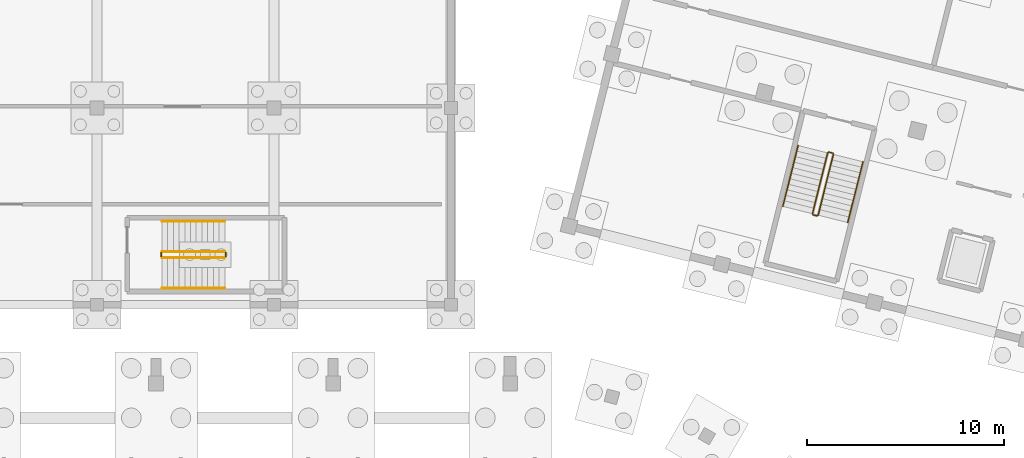
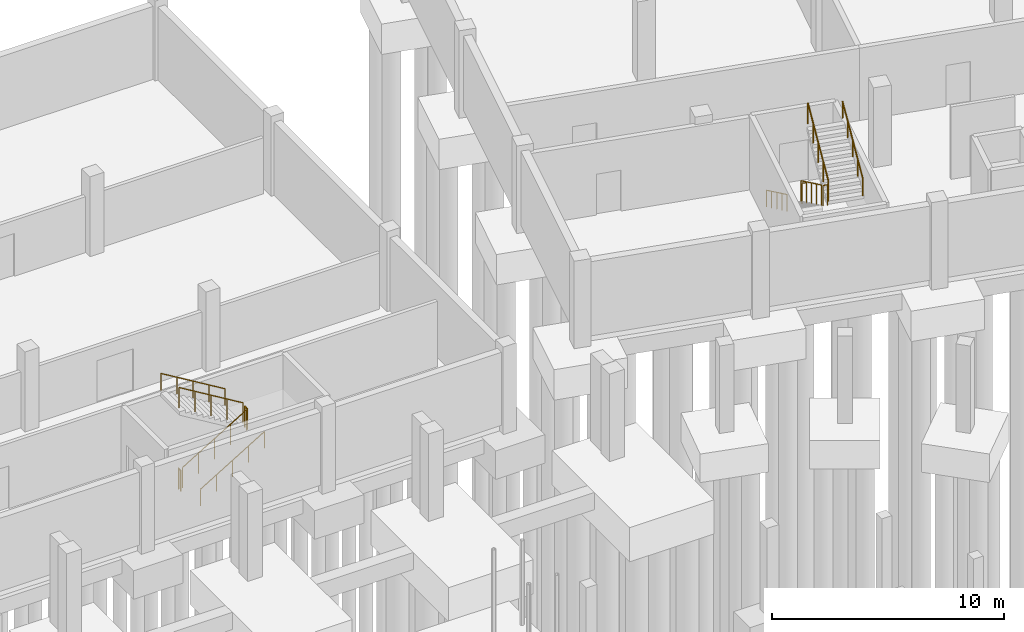
# One storey, part 31 of 36: 12 railings.
"""IFC4 building model written with IfcOpenShell, lengths in metres."""

from ifc_helpers import new_model, si_unit, derived_unit, direction, frame, origin, origin_2d, place, context, subcontext, project, spatial, circle, extrude, material, type_object, element, save


model = new_model("IFC4")

# Units and contexts
model_context = context("Model", 3, precision=1e-05, world=origin(), true_north=direction((0.0, 1.0)))
body_context = subcontext(model_context, "Body", "Model", "MODEL_VIEW")
ifc_project = project(units=[si_unit("LENGTHUNIT", "METRE"), si_unit("AREAUNIT", "SQUARE_METRE"), si_unit("VOLUMEUNIT", "CUBIC_METRE"), si_unit("PLANEANGLEUNIT", "RADIAN"), si_unit("MASSUNIT", "GRAM", prefix="KILO"), si_unit("THERMODYNAMICTEMPERATUREUNIT", "KELVIN"), si_unit("TIMEUNIT", "SECOND"), derived_unit("THERMALTRANSMITTANCEUNIT", [(si_unit("MASSUNIT", "GRAM", prefix="KILO"), 1), (si_unit("THERMODYNAMICTEMPERATUREUNIT", "KELVIN"), -1), (si_unit("TIMEUNIT", "SECOND"), -3)])], contexts=[model_context])

# Site, building, storey
site_placement = place(None, origin())
site = spatial("IfcSite", under=ifc_project, at=site_placement, CompositionType="ELEMENT")
building_placement = place(site_placement, origin())
building = spatial("IfcBuilding", under=site, at=building_placement, Name="Cambertide Market Hall", CompositionType="ELEMENT")
storey_placement = place(building_placement, frame((0.0, 0.0, -4.199951171875)))
storey = spatial("IfcBuildingStorey", under=building, at=storey_placement, Name="B1", CompositionType="ELEMENT", Elevation=-4.199951171875)

# Railings
ifc_material_1 = material(Name="Stainless Steel Grade 316", Category="metal")
railing_type_1 = type_object("IfcRailingType", Name="Stair Wall Handrail 900", PredefinedType="HANDRAIL", material=ifc_material_1)
railing_1_placement = place(storey_placement, frame((87.300048828125, 96.85009765625, 0.175048828125)))
element("IfcRailing", 1, at=railing_1_placement, inside=storey, type_object=railing_type_1, Name="Basement 1 ST-04 stair handrail 1", PredefinedType="HANDRAIL", context=body_context, shape_type="SweptSolid", body=[
    extrude(circle(Radius=0.02392578125, at=origin_2d()), frame((0.0, 0.0, 0.8759765625), z_axis=(0.856206652436, 0.0, 0.516633495163), x_axis=(0.0, 1.0, 0.0)), (0.0, 0.0, 1.0), 3.7255859375),
    extrude(circle(Radius=0.02099609375, at=origin_2d()), origin(), (0.0, 0.0, 1.0), 0.851806640625),
    extrude(circle(Radius=0.02099609375, at=origin_2d()), frame((0.79736328125, 0.0, 0.481201171875)), (0.0, 0.0, 1.0), 0.851806640625),
    extrude(circle(Radius=0.02099609375, at=origin_2d()), frame((1.594970703125, 0.0, 0.96240234375)), (0.0, 0.0, 1.0), 0.851806640625),
    extrude(circle(Radius=0.02099609375, at=origin_2d()), frame((2.392578125, 0.0, 1.443603515625)), (0.0, 0.0, 1.0), 0.851806640625),
    extrude(circle(Radius=0.02099609375, at=origin_2d()), frame((3.18994140625, 0.0, 1.9248046875)), (0.0, 0.0, 1.0), 0.851806640625),
])
railing_2_placement = place(storey_placement, frame((90.489990234375, 100.25, 2.27490234375)))
element("IfcRailing", 2, at=railing_2_placement, inside=storey, type_object=railing_type_1, Name="Basement 1 ST-04 stair handrail 2", PredefinedType="HANDRAIL", context=body_context, shape_type="SweptSolid", body=[
    extrude(circle(Radius=0.02392578125, at=origin_2d()), frame((0.0, 0.0, 0.8759765625), z_axis=(-0.856177665481, 0.0, 0.516681531633), x_axis=(0.0, -1.0, 0.0)), (0.0, 0.0, 1.0), 3.725830078125),
    extrude(circle(Radius=0.02099609375, at=origin_2d()), origin(), (0.0, 0.0, 1.0), 0.851806640625),
    extrude(circle(Radius=0.02099609375, at=origin_2d()), frame((-0.79736328125, 0.0, 0.481201171875)), (0.0, 0.0, 1.0), 0.851806640625),
    extrude(circle(Radius=0.02099609375, at=origin_2d()), frame((-1.594970703125, 0.0, 0.96240234375)), (0.0, 0.0, 1.0), 0.851806640625),
    extrude(circle(Radius=0.02099609375, at=origin_2d()), frame((-2.392578125, 0.0, 1.44384765625)), (0.0, 0.0, 1.0), 0.851806640625),
    extrude(circle(Radius=0.02099609375, at=origin_2d()), frame((-3.18994140625, 0.0, 1.925048828125)), (0.0, 0.0, 1.0), 0.851806640625),
])
railing_3_placement = place(storey_placement, frame((119.6416015625, 104.098876953125, 0.175048828125)))
element("IfcRailing", 3, at=railing_3_placement, inside=storey, type_object=railing_type_1, Name="Basement 1 ST-07A stair handrail 1", PredefinedType="HANDRAIL", context=body_context, shape_type="SweptSolid", body=[
    extrude(circle(Radius=0.02392578125, at=origin_2d()), frame((0.0, 0.0, 0.8759765625), z_axis=(-0.207661131979, -0.830644527916, 0.516629966716), x_axis=(0.970142500145, -0.242535625036, 0.0)), (0.0, 0.0, 1.0), 3.7255859375),
    extrude(circle(Radius=0.02099609375, at=origin_2d()), origin(), (0.0, 0.0, 1.0), 0.851806640625),
    extrude(circle(Radius=0.02099609375, at=origin_2d()), frame((-0.193359375, -0.773681640625, 0.481201171875)), (0.0, 0.0, 1.0), 0.851806640625),
    extrude(circle(Radius=0.02099609375, at=origin_2d()), frame((-0.38671875, -1.54736328125, 0.96240234375)), (0.0, 0.0, 1.0), 0.851806640625),
    extrude(circle(Radius=0.02099609375, at=origin_2d()), frame((-0.580322265625, -2.321044921875, 1.443603515625)), (0.0, 0.0, 1.0), 0.851806640625),
    extrude(circle(Radius=0.02099609375, at=origin_2d()), frame((-0.773681640625, -3.0947265625, 1.9248046875)), (0.0, 0.0, 1.0), 0.851806640625),
])
railing_4_placement = place(storey_placement, frame((122.16650390625, 100.179443359375, 2.27490234375)))
element("IfcRailing", 4, at=railing_4_placement, inside=storey, type_object=railing_type_1, Name="Basement 1 ST-07A stair handrail 2", PredefinedType="HANDRAIL", context=body_context, shape_type="SweptSolid", body=[
    extrude(circle(Radius=0.02392578125, at=origin_2d()), frame((0.0, 0.0, 0.8759765625), z_axis=(0.207654101688, 0.830616406754, 0.516678003097), x_axis=(-0.970142500145, 0.242535625036, 0.0)), (0.0, 0.0, 1.0), 3.725830078125),
    extrude(circle(Radius=0.02099609375, at=origin_2d()), origin(), (0.0, 0.0, 1.0), 0.851806640625),
    extrude(circle(Radius=0.02099609375, at=origin_2d()), frame((0.193359375, 0.773681640625, 0.481201171875)), (0.0, 0.0, 1.0), 0.851806640625),
    extrude(circle(Radius=0.02099609375, at=origin_2d()), frame((0.38671875, 1.54736328125, 0.96240234375)), (0.0, 0.0, 1.0), 0.851806640625),
    extrude(circle(Radius=0.02099609375, at=origin_2d()), frame((0.580322265625, 2.321044921875, 1.44384765625)), (0.0, 0.0, 1.0), 0.851806640625),
    extrude(circle(Radius=0.02099609375, at=origin_2d()), frame((0.773681640625, 3.0947265625, 1.925048828125)), (0.0, 0.0, 1.0), 0.851806640625),
])
ifc_material_2 = material(Name="Stainless Steel Grade 316", Category="metal")
railing_type_2 = type_object("IfcRailingType", Name="Stairwell Inner Guardrail 1100", PredefinedType="GUARDRAIL", material=ifc_material_2)
railing_5_placement = place(storey_placement, frame((87.300048828125, 98.39990234375, 0.175048828125)))
element("IfcRailing", 5, at=railing_5_placement, inside=storey, type_object=railing_type_2, Name="Basement 1 ST-04 stair guard 1", PredefinedType="GUARDRAIL", context=body_context, shape_type="SweptSolid", body=[
    extrude(circle(Radius=0.02392578125, at=origin_2d()), frame((0.0, 0.0, 1.076171875), z_axis=(0.856206652436, 0.0, 0.516633495163), x_axis=(0.0, 1.0, 0.0)), (0.0, 0.0, 1.0), 3.7255859375),
    extrude(circle(Radius=0.02099609375, at=origin_2d()), origin(), (0.0, 0.0, 1.0), 1.052001953125),
    extrude(circle(Radius=0.02099609375, at=origin_2d()), frame((0.79736328125, 0.0, 0.481201171875)), (0.0, 0.0, 1.0), 1.052001953125),
    extrude(circle(Radius=0.02099609375, at=origin_2d()), frame((1.594970703125, 0.0, 0.96240234375)), (0.0, 0.0, 1.0), 1.052001953125),
    extrude(circle(Radius=0.02099609375, at=origin_2d()), frame((2.392578125, 0.0, 1.443603515625)), (0.0, 0.0, 1.0), 1.052001953125),
    extrude(circle(Radius=0.02099609375, at=origin_2d()), frame((3.18994140625, 0.0, 1.9248046875)), (0.0, 0.0, 1.0), 1.052001953125),
])
railing_6_placement = place(storey_placement, frame((90.5400390625, 98.449951171875, 2.099853515625)))
element("IfcRailing", 6, at=railing_6_placement, inside=storey, type_object=railing_type_2, Name="Basement 1 ST-04 stair guard 2", PredefinedType="GUARDRAIL", context=body_context, shape_type="SweptSolid", body=[
    extrude(circle(Radius=0.02392578125, at=origin_2d()), frame((0.0, 0.0, 1.076171875), z_axis=(0.0, 1.0, 0.0), x_axis=(-1.0, 0.0, 0.0)), (0.0, 0.0, 1.0), 0.199951171875),
    extrude(circle(Radius=0.02099609375, at=origin_2d()), origin(), (0.0, 0.0, 1.0), 1.052001953125),
    extrude(circle(Radius=0.02099609375, at=origin_2d()), frame((0.0, 0.199951171875, 0.0)), (0.0, 0.0, 1.0), 1.052001953125),
])
railing_7_placement = place(storey_placement, frame((90.489990234375, 98.699951171875, 2.27490234375)))
element("IfcRailing", 7, at=railing_7_placement, inside=storey, type_object=railing_type_2, Name="Basement 1 ST-04 stair guard 3", PredefinedType="GUARDRAIL", context=body_context, shape_type="SweptSolid", body=[
    extrude(circle(Radius=0.02392578125, at=origin_2d()), frame((0.0, 0.0, 1.076171875), z_axis=(-0.856177665481, 0.0, 0.516681531633), x_axis=(0.0, -1.0, 0.0)), (0.0, 0.0, 1.0), 3.725830078125),
    extrude(circle(Radius=0.02099609375, at=origin_2d()), origin(), (0.0, 0.0, 1.0), 1.052001953125),
    extrude(circle(Radius=0.02099609375, at=origin_2d()), frame((-0.79736328125, 0.0, 0.481201171875)), (0.0, 0.0, 1.0), 1.052001953125),
    extrude(circle(Radius=0.02099609375, at=origin_2d()), frame((-1.594970703125, 0.0, 0.96240234375)), (0.0, 0.0, 1.0), 1.052001953125),
    extrude(circle(Radius=0.02099609375, at=origin_2d()), frame((-2.392578125, 0.0, 1.44384765625)), (0.0, 0.0, 1.0), 1.052001953125),
    extrude(circle(Radius=0.02099609375, at=origin_2d()), frame((-3.18994140625, 0.0, 1.925048828125)), (0.0, 0.0, 1.0), 1.052001953125),
])
railing_8_placement = place(storey_placement, frame((87.25, 98.449951171875, 0.0)))
element("IfcRailing", 8, at=railing_8_placement, inside=storey, type_object=railing_type_2, Name="Basement 1 ST-04 stair guard 4", PredefinedType="GUARDRAIL", context=body_context, shape_type="SweptSolid", body=[
    extrude(circle(Radius=0.02392578125, at=origin_2d()), frame((0.0, 0.0, 1.076171875), z_axis=(0.0, 1.0, 0.0), x_axis=(-1.0, 0.0, 0.0)), (0.0, 0.0, 1.0), 0.199951171875),
    extrude(circle(Radius=0.02099609375, at=origin_2d()), origin(), (0.0, 0.0, 1.0), 1.052001953125),
    extrude(circle(Radius=0.02099609375, at=origin_2d()), frame((0.0, 0.199951171875, 0.0)), (0.0, 0.0, 1.0), 1.052001953125),
])
railing_9_placement = place(storey_placement, frame((121.1455078125, 103.722900390625, 0.175048828125)))
element("IfcRailing", 9, at=railing_9_placement, inside=storey, type_object=railing_type_2, Name="Basement 1 ST-07A stair guard 1", PredefinedType="GUARDRAIL", context=body_context, shape_type="SweptSolid", body=[
    extrude(circle(Radius=0.02392578125, at=origin_2d()), frame((0.0, 0.0, 1.076171875), z_axis=(-0.207661131979, -0.830644527916, 0.516629966716), x_axis=(0.970142500145, -0.242535625036, 0.0)), (0.0, 0.0, 1.0), 3.7255859375),
    extrude(circle(Radius=0.02099609375, at=origin_2d()), origin(), (0.0, 0.0, 1.0), 1.052001953125),
    extrude(circle(Radius=0.02099609375, at=origin_2d()), frame((-0.193359375, -0.773681640625, 0.481201171875)), (0.0, 0.0, 1.0), 1.052001953125),
    extrude(circle(Radius=0.02099609375, at=origin_2d()), frame((-0.38671875, -1.54736328125, 0.96240234375)), (0.0, 0.0, 1.0), 1.052001953125),
    extrude(circle(Radius=0.02099609375, at=origin_2d()), frame((-0.580322265625, -2.321044921875, 1.443603515625)), (0.0, 0.0, 1.0), 1.052001953125),
    extrude(circle(Radius=0.02099609375, at=origin_2d()), frame((-0.773681640625, -3.0947265625, 1.9248046875)), (0.0, 0.0, 1.0), 1.052001953125),
])
railing_10_placement = place(storey_placement, frame((120.408203125, 100.567626953125, 2.099853515625)))
element("IfcRailing", 10, at=railing_10_placement, inside=storey, type_object=railing_type_2, Name="Basement 1 ST-07A stair guard 2", PredefinedType="GUARDRAIL", context=body_context, shape_type="SweptSolid", body=[
    extrude(circle(Radius=0.02392578125, at=origin_2d()), frame((0.0, 0.0, 1.076171875), z_axis=(0.969998605015, -0.24311048161, 0.0), x_axis=(0.24311048161, 0.969998605015, 0.0)), (0.0, 0.0, 1.0), 0.199951171875),
    extrude(circle(Radius=0.02099609375, at=origin_2d()), origin(), (0.0, 0.0, 1.0), 1.052001953125),
    extrude(circle(Radius=0.02099609375, at=origin_2d()), frame((0.19384765625, -0.048583984375, 0.0)), (0.0, 0.0, 1.0), 1.052001953125),
])
railing_11_placement = place(storey_placement, frame((120.662841796875, 100.555419921875, 2.27490234375)))
element("IfcRailing", 11, at=railing_11_placement, inside=storey, type_object=railing_type_2, Name="Basement 1 ST-07A stair guard 3", PredefinedType="GUARDRAIL", context=body_context, shape_type="SweptSolid", body=[
    extrude(circle(Radius=0.02392578125, at=origin_2d()), frame((0.0, 0.0, 1.076171875), z_axis=(0.207654101688, 0.830616406754, 0.516678003097), x_axis=(-0.970142500145, 0.242535625036, 0.0)), (0.0, 0.0, 1.0), 3.725830078125),
    extrude(circle(Radius=0.02099609375, at=origin_2d()), origin(), (0.0, 0.0, 1.0), 1.052001953125),
    extrude(circle(Radius=0.02099609375, at=origin_2d()), frame((0.193359375, 0.773681640625, 0.481201171875)), (0.0, 0.0, 1.0), 1.052001953125),
    extrude(circle(Radius=0.02099609375, at=origin_2d()), frame((0.38671875, 1.54736328125, 0.96240234375)), (0.0, 0.0, 1.0), 1.052001953125),
    extrude(circle(Radius=0.02099609375, at=origin_2d()), frame((0.580322265625, 2.321044921875, 1.44384765625)), (0.0, 0.0, 1.0), 1.052001953125),
    extrude(circle(Radius=0.02099609375, at=origin_2d()), frame((0.773681640625, 3.0947265625, 1.925048828125)), (0.0, 0.0, 1.0), 1.052001953125),
])
railing_12_placement = place(storey_placement, frame((121.2060546875, 103.75927734375, 0.0)))
element("IfcRailing", 12, at=railing_12_placement, inside=storey, type_object=railing_type_2, Name="Basement 1 ST-07A stair guard 4", PredefinedType="GUARDRAIL", context=body_context, shape_type="SweptSolid", body=[
    extrude(circle(Radius=0.02392578125, at=origin_2d()), frame((0.0, 0.0, 1.076171875), z_axis=(0.970070680326, -0.242822723755, 0.0), x_axis=(0.242822723755, 0.970070680326, 0.0)), (0.0, 0.0, 1.0), 0.2001953125),
    extrude(circle(Radius=0.02099609375, at=origin_2d()), origin(), (0.0, 0.0, 1.0), 1.052001953125),
    extrude(circle(Radius=0.02099609375, at=origin_2d()), frame((0.194091796875, -0.048583984375, 0.0)), (0.0, 0.0, 1.0), 1.052001953125),
])

save(model, "model.ifc")
